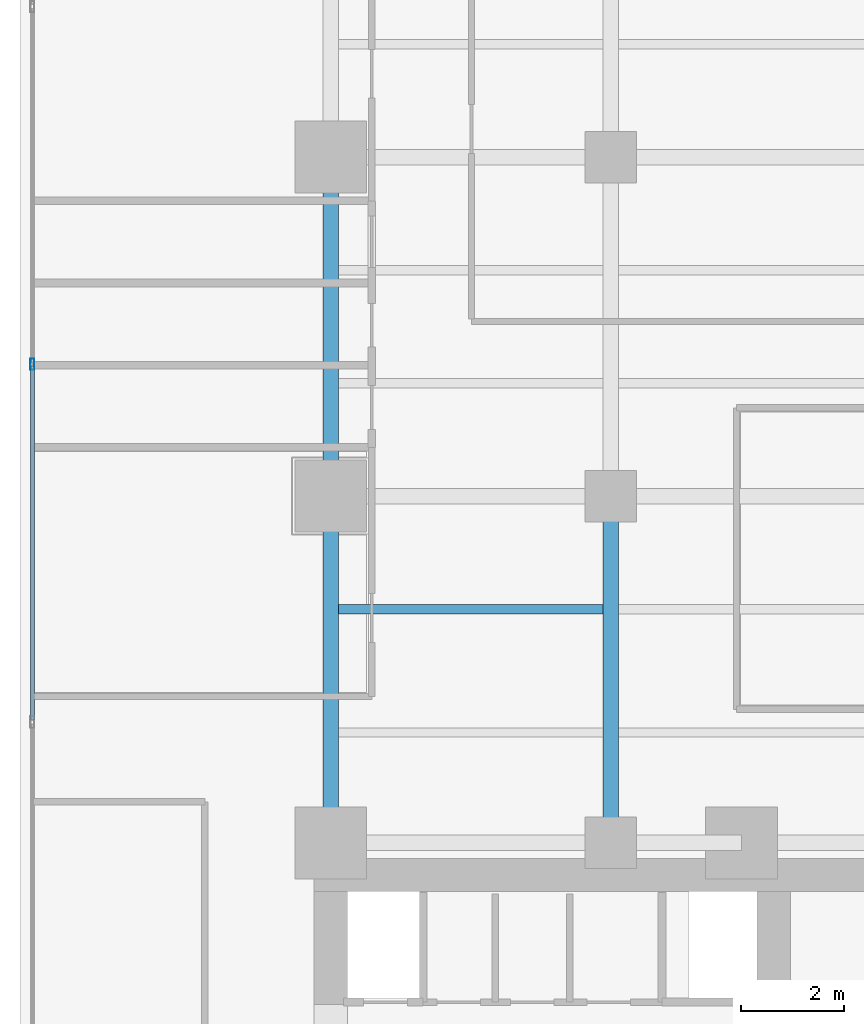
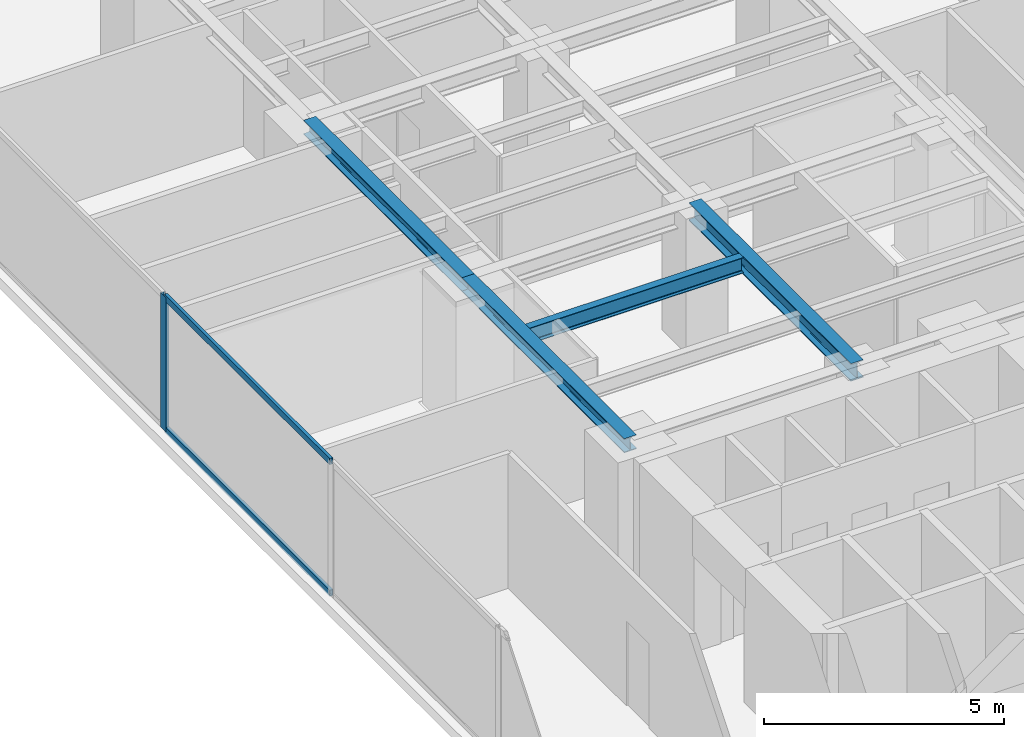
# One storey, part 7 of 25: 4 beams, 3 members, 1 element without a shape of its own.
"""IFC4 building model written with IfcOpenShell, lengths in metres."""

from ifc_helpers import new_model, si_unit, direction, frame, origin, origin_with_axes, origin_2d, place, context, subcontext, project, spatial, hollow_rectangle, i_section, extrude, source, transform, mapped, material, layer, layer_set, material_profile, profile_set, type_object, element, aggregate, save


model = new_model("IFC4")

# Units and contexts
model_context = context("Model", 3, precision=1e-05, world=origin(), true_north=direction((0.0, 1.0)))
body_context = subcontext(model_context, "Body", "Model", "MODEL_VIEW")
ifc_project = project(units=[si_unit("LENGTHUNIT", "METRE"), si_unit("AREAUNIT", "SQUARE_METRE"), si_unit("VOLUMEUNIT", "CUBIC_METRE"), si_unit("PLANEANGLEUNIT", "RADIAN"), si_unit("MASSUNIT", "GRAM", prefix="KILO")], contexts=[model_context])

# Site, building, storey
site_placement = place(None, origin())
site = spatial("IfcSite", under=ifc_project, at=site_placement, CompositionType="ELEMENT")
building_placement = place(site_placement, origin())
building = spatial("IfcBuilding", under=site, at=building_placement, Name="Kolvaren Waterfront Exchange", CompositionType="ELEMENT")
storey_placement = place(building_placement, frame((0.0, 0.0, 137.300048828125)))
storey = spatial("IfcBuildingStorey", under=building, at=storey_placement, Name="L35", CompositionType="ELEMENT", Elevation=137.300048828125)

# Beams
ifc_material_1 = material(Name="Steel S355", Category="steel")
ifc_material_profile_1 = material_profile(ifc_material_1, i_section(OverallWidth=0.300048828125, OverallDepth=0.360107421875, WebThickness=0.012451171875, FlangeThickness=0.0224609375, FilletRadius=0.027099609375, at=origin_2d()), Name="HEB360")
ifc_profile_set_1 = profile_set([ifc_material_profile_1], Name="Steel S355")
beam_type_1 = type_object("IfcBeamType", Name="STR-BM-HEB360", PredefinedType="SPANDREL", material=ifc_profile_set_1)
beam_1_placement = place(storey_placement, frame((7.449951171875, 24.449951171875, 3.239990234375), z_axis=(0.0, 1.0, 0.0), x_axis=(-1.0, 0.0, 0.0)))
element("IfcBeam", 1, at=beam_1_placement, inside=storey, type_object=beam_type_1, Name="L35 north-arm edge beam 1", PredefinedType="SPANDREL", context=body_context, shape_type="SweptSolid", body=[
    extrude(i_section(OverallWidth=0.300048828125, OverallDepth=0.360107421875, WebThickness=0.012451171875, FlangeThickness=0.0224609375, FilletRadius=0.027099609375, at=origin_2d()), origin(), (0.0, 0.0, 1.0), 6.75),
])
beam_2_placement = place(storey_placement, frame((7.449951171875, 31.199951171875, 3.239990234375), z_axis=(0.0, 1.0, 0.0), x_axis=(-1.0, 0.0, 0.0)))
element("IfcBeam", 2, at=beam_2_placement, inside=storey, type_object=beam_type_1, Name="L35 north-arm edge beam 2", PredefinedType="SPANDREL", context=body_context, shape_type="SweptSolid", body=[
    extrude(i_section(OverallWidth=0.300048828125, OverallDepth=0.360107421875, WebThickness=0.012451171875, FlangeThickness=0.0224609375, FilletRadius=0.027099609375, at=origin_2d()), origin(), (0.0, 0.0, 1.0), 6.60009765625),
])
ifc_material_profile_2 = material_profile(ifc_material_1, i_section(OverallWidth=0.300048828125, OverallDepth=0.449951171875, WebThickness=0.013916015625, FlangeThickness=0.02587890625, FilletRadius=0.027099609375, at=origin_2d()), Name="HEB450")
ifc_profile_set_2 = profile_set([ifc_material_profile_2], Name="Steel S355")
beam_type_2 = type_object("IfcBeamType", Name="STR-BM-HEB450", PredefinedType="BEAM", material=ifc_profile_set_2)
beam_3_placement = place(storey_placement, frame((12.89990234375, 24.449951171875, 3.195068359375), z_axis=(0.0, 1.0, 0.0), x_axis=(-1.0, 0.0, 0.0)))
element("IfcBeam", 3, at=beam_3_placement, inside=storey, type_object=beam_type_2, Name="L35 north-arm edge beam 1", PredefinedType="BEAM", context=body_context, shape_type="SweptSolid", body=[
    extrude(i_section(OverallWidth=0.300048828125, OverallDepth=0.449951171875, WebThickness=0.013916015625, FlangeThickness=0.02587890625, FilletRadius=0.027099609375, at=origin_2d()), origin(), (0.0, 0.0, 1.0), 6.75),
])
ifc_material_profile_3 = material_profile(ifc_material_1, i_section(OverallWidth=0.179931640625, OverallDepth=0.39990234375, WebThickness=0.008544921875, FlangeThickness=0.013427734375, FilletRadius=0.02099609375, at=origin_2d()), Name="IPE400")
ifc_profile_set_3 = profile_set([ifc_material_profile_3], Name="Steel S355")
beam_type_3 = type_object("IfcBeamType", Name="STR-BM-IPE400", PredefinedType="JOIST", material=ifc_profile_set_3)
beam_4_placement = place(storey_placement, frame((7.60205078125, 29.0, 3.219970703125), z_axis=(1.0, 0.0, 0.0), x_axis=(0.0, 1.0, 0.0)))
element("IfcBeam", 4, at=beam_4_placement, inside=storey, type_object=beam_type_3, Name="L35 north-arm composite joist 2A", PredefinedType="JOIST", context=body_context, shape_type="SweptSolid", body=[
    extrude(i_section(OverallWidth=0.179931640625, OverallDepth=0.39990234375, WebThickness=0.008544921875, FlangeThickness=0.013427734375, FilletRadius=0.02099609375, at=origin_2d()), origin(), (0.0, 0.0, 1.0), 5.14599609375),
])

# Curtain wall, members
ifc_material_2 = material(Name="Anodised aluminium 6063-T6", Category="aluminium")
ifc_layer = layer(ifc_material_2, 0.219970703125, Name="Anodised aluminium 6063-T6")
ifc_layer_set = layer_set([ifc_layer], Name="Anodised aluminium 6063-T6")
curtain_wall_type = type_object("IfcCurtainWallType", Name="ARC-CW-SYS2", PredefinedType="USERDEFINED", material=ifc_layer_set)
curtain_wall_placement = place(storey_placement, origin())
curtain_wall = element("IfcCurtainWall", 5, at=curtain_wall_placement, inside=storey, type_object=curtain_wall_type, Name="L35 stick curtain wall CW2 (CW-L35-W)", ObjectType="STICK CURTAIN WALL", PredefinedType="USERDEFINED")
ifc_material_profile_4 = material_profile(ifc_material_2, hollow_rectangle(XDim=0.080078125, YDim=0.219970703125, WallThickness=0.0048828125, at=origin_2d()), Name="ALU-MUL-220x80x5")
ifc_profile_set_4 = profile_set([ifc_material_profile_4], Name="Anodised aluminium 6063-T6")
member_type_1 = type_object("IfcMemberType", Name="ARC-CWM-220", PredefinedType="MULLION", material=ifc_profile_set_4)
shared_shape_1 = source(origin_with_axes(), body_context, "Body", "SweptSolid", [
    extrude(hollow_rectangle(XDim=0.080078125, YDim=0.219970703125, WallThickness=0.0048828125, at=origin_2d()), origin(), (0.0, 0.0, 1.0), 3.419921875),
])
member_1_placement = place(storey_placement, frame((1.639892578125, 33.7666015625, 0.0), z_axis=(0.0, 0.0, 1.0), x_axis=(-1.0, 0.0, 0.0)))
member_1 = element("IfcMember", 6, at=member_1_placement, type_object=member_type_1, Name="CW2 mullion 5", PredefinedType="MULLION", context=body_context, shape_type="MappedRepresentation", body=[
    mapped(shared_shape_1, transform((0.0, 0.0, 0.0), x_axis=(1.0, 0.0, 0.0), y_axis=(0.0, 1.0, 0.0), z_axis=(0.0, 0.0, 1.0), scale=1.0)),
])
ifc_material_profile_5 = material_profile(ifc_material_2, hollow_rectangle(XDim=0.074951171875, YDim=0.159912109375, WallThickness=0.00439453125, at=origin_2d()), Name="ALU-TRN-160x75x4.5")
ifc_profile_set_5 = profile_set([ifc_material_profile_5], Name="Anodised aluminium 6063-T6")
member_type_2 = type_object("IfcMemberType", Name="ARC-CWT-160", PredefinedType="USERDEFINED", material=ifc_profile_set_5)
shared_shape_2 = source(origin_with_axes(), body_context, "Body", "SweptSolid", [
    extrude(hollow_rectangle(XDim=0.074951171875, YDim=0.159912109375, WallThickness=0.00439453125, at=origin_2d()), origin(), (0.0, 0.0, 1.0), 6.886474609375),
])
member_2_placement = place(storey_placement, frame((1.639892578125, 26.840087890625, 0.037353515625), z_axis=(0.0, 1.0, 0.0), x_axis=(-1.0, 0.0, 0.0)))
member_2 = element("IfcMember", 7, at=member_2_placement, type_object=member_type_2, Name="CW2 transom 4.1", ObjectType="TRANSOM", PredefinedType="USERDEFINED", context=body_context, shape_type="MappedRepresentation", body=[
    mapped(shared_shape_2, transform((0.0, 0.0, 0.0), x_axis=(1.0, 0.0, 0.0), y_axis=(0.0, 1.0, 0.0), z_axis=(0.0, 0.0, 1.0), scale=1.0)),
])
member_3_placement = place(storey_placement, frame((1.639892578125, 26.840087890625, 3.382568359375), z_axis=(0.0, 1.0, 0.0), x_axis=(-1.0, 0.0, 0.0)))
member_3 = element("IfcMember", 8, at=member_3_placement, type_object=member_type_2, Name="CW2 transom 4.2", ObjectType="TRANSOM", PredefinedType="USERDEFINED", context=body_context, shape_type="MappedRepresentation", body=[
    mapped(shared_shape_2, transform((0.0, 0.0, 0.0), x_axis=(1.0, 0.0, 0.0), y_axis=(0.0, 1.0, 0.0), z_axis=(0.0, 0.0, 1.0), scale=1.0)),
])
aggregate(curtain_wall, [member_1, member_2, member_3])

save(model, "model.ifc")
